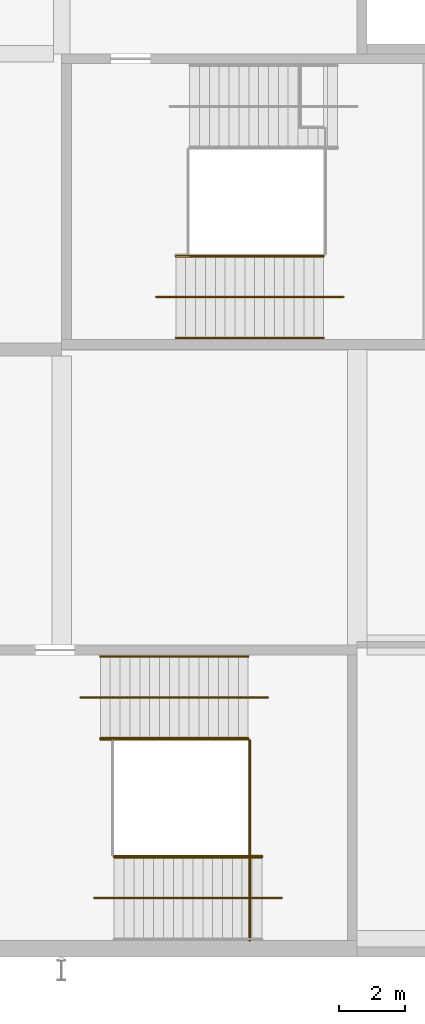
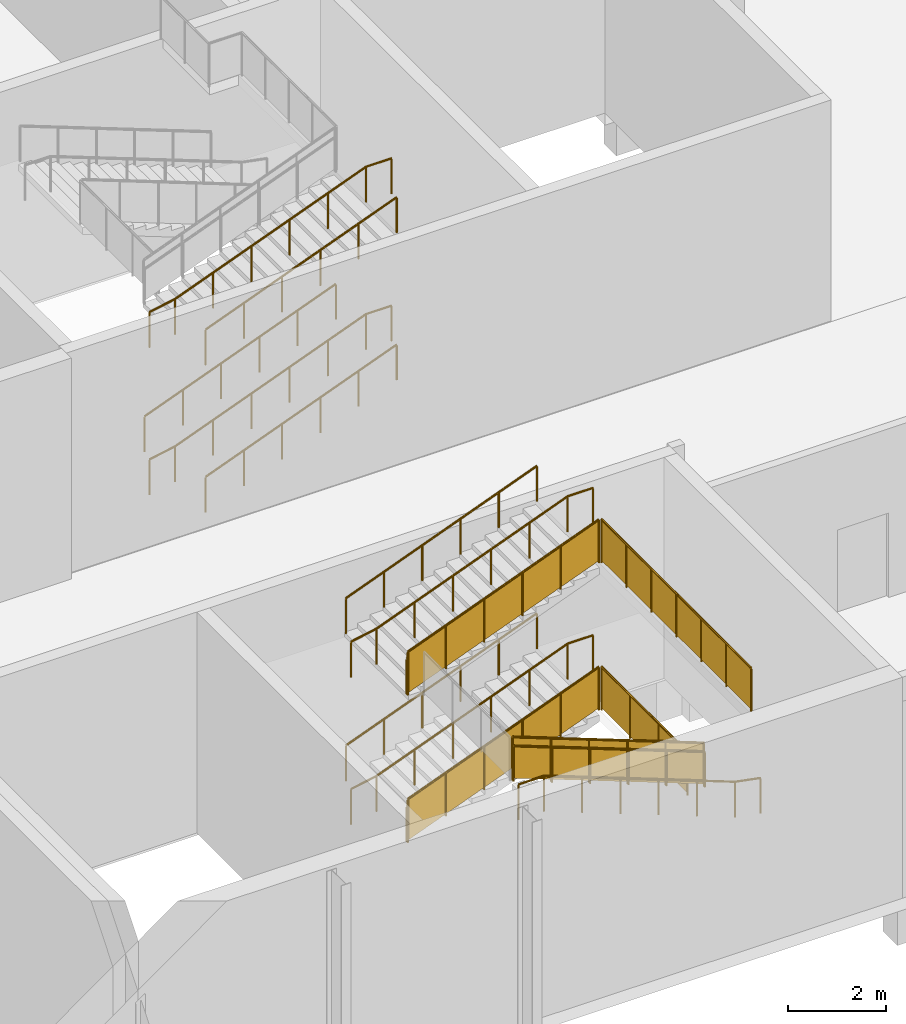
# One storey, part 67 of 84: 18 railings.
"""IFC4 building model written with IfcOpenShell, lengths in metres."""

import ifcopenshell
import ifcopenshell.guid

model = None  # the IFC model being written
_history = None  # IfcOwnerHistory: only IFC2X3 demands one
_inside = {}  # id of a spatial element -> (the spatial element, [elements in it])
_under = {}  # id of a project, library or spatial element -> (it, [spatial elements below it])
_declared = {}  # id of a project -> (the project, [libraries it declares])
_typed = {}  # id of a type object -> (the type object, [elements of that type])
_made_of = {}  # id of a material, layer set ... -> (it, [elements and type objects made of it])


def new_model(schema):
    """Start an empty IFC model of exactly this schema.

    Asked for "IFC4X3", IfcOpenShell would pick the latest addendum, in which some entities
    have other attributes; the version numbers below select the first issue.
    IFC2X3 requires an IfcOwnerHistory on every rooted entity: one is made here for all.
    """
    global model, _history
    if schema == "IFC4X3":
        model = ifcopenshell.file(schema_version=(4, 3, 0, 0))
    else:
        model = ifcopenshell.file(schema=schema)
    _inside.clear()
    _under.clear()
    _declared.clear()
    _typed.clear()
    _made_of.clear()
    _history = None
    if model.schema == "IFC2X3":
        org = make("IfcOrganization", Name="unknown")
        user = make(
            "IfcPersonAndOrganization",
            ThePerson=make("IfcPerson", FamilyName="unknown"),
            TheOrganization=org,
        )
        app = make(
            "IfcApplication",
            ApplicationDeveloper=org,
            Version="unknown",
            ApplicationFullName="unknown",
            ApplicationIdentifier="unknown",
        )
        _history = make(
            "IfcOwnerHistory",
            OwningUser=user,
            OwningApplication=app,
            ChangeAction="ADDED",
            CreationDate=0,
        )
    return model


def make(cls, **values):
    """One entity of the class cls with the attributes given. An attribute that is None is left unset."""
    return model.create_entity(
        cls, **{name: value for name, value in values.items() if value is not None}
    )


def rooted(cls, **values):
    """An entity with a GlobalId (a new one), such as an element, a storey or a relation."""
    return make(cls, GlobalId=ifcopenshell.guid.new(), OwnerHistory=_history, **values)


def si_unit(unit_type, name, prefix=None):
    """IfcSIUnit, for example si_unit("LENGTHUNIT", "METRE", prefix="MILLI")."""
    return make("IfcSIUnit", UnitType=unit_type, Prefix=prefix, Name=name)


def assignment(units):
    """IfcUnitAssignment: the units of a project."""
    return None if units is None else make("IfcUnitAssignment", Units=units)


def point(xyz):
    """IfcCartesianPoint."""
    return None if xyz is None else make("IfcCartesianPoint", Coordinates=xyz)


def direction(xyz):
    """IfcDirection."""
    return None if xyz is None else make("IfcDirection", DirectionRatios=xyz)


def frame(location, z_axis=None, x_axis=None):
    """IfcAxis2Placement3D, a coordinate frame: its origin and axes. An axis left out is left unset."""
    return make(
        "IfcAxis2Placement3D",
        Location=point(location),
        Axis=direction(z_axis),
        RefDirection=direction(x_axis),
    )


def frame_2d(location, x_axis=None):
    """IfcAxis2Placement2D, a coordinate frame in the plane: its origin and x axis."""
    return make(
        "IfcAxis2Placement2D", Location=point(location), RefDirection=direction(x_axis)
    )


def origin():
    """The frame at (0, 0, 0) with its axes left unset."""
    return frame((0.0, 0.0, 0.0))


def origin_2d():
    """The frame at (0, 0) in the plane with its x axis left unset."""
    return frame_2d((0.0, 0.0))


def place(relative_to, where):
    """IfcLocalPlacement: puts the frame where relative to a parent placement (None: the world)."""
    return make(
        "IfcLocalPlacement", PlacementRelTo=relative_to, RelativePlacement=where
    )


def context(
    kind, dimensions, precision=None, world=None, true_north=None, identifier=None
):
    """IfcGeometricRepresentationContext, for example the 3D "Model" context."""
    return make(
        "IfcGeometricRepresentationContext",
        ContextIdentifier=identifier,
        ContextType=kind,
        CoordinateSpaceDimension=dimensions,
        Precision=precision,
        WorldCoordinateSystem=world,
        TrueNorth=true_north,
    )


def subcontext(parent, identifier, kind, view, scale=None):
    """IfcGeometricRepresentationSubContext, for example "Body" below "Model"."""
    return make(
        "IfcGeometricRepresentationSubContext",
        ContextIdentifier=identifier,
        ContextType=kind,
        ParentContext=parent,
        TargetScale=scale,
        TargetView=view,
    )


def project(units=None, contexts=None):
    """IfcProject with its units and contexts."""
    return rooted(
        "IfcProject",
        Name="project",
        RepresentationContexts=contexts,
        UnitsInContext=assignment(units),
    )


def spatial(cls, under=None, at=None, **own):
    """A site, building, storey or space (cls), placed at a placement, below another one or the project."""
    s = rooted(cls, ObjectPlacement=at, **own)
    if under is not None:
        _under.setdefault(under.id(), (under, []))[1].append(s)
    return s


def polyline(points):
    """IfcPolyline through the points."""
    return make("IfcPolyline", Points=[point(p) for p in points])


def profile(cls, at=None, kind="AREA", **sizes):
    """A parametric profile (cls). Its sizes go by their IFC names, for example OverallWidth=200.0."""
    return make(cls, ProfileType=kind, Position=at, **sizes)


def circle(**sizes):
    """IfcCircleProfileDef."""
    return profile("IfcCircleProfileDef", **sizes)


def outline(outer, holes=None, kind="AREA"):
    """IfcArbitraryClosedProfileDef: a profile drawn as a closed curve; with holes, ...WithVoids."""
    if holes is None:
        return make("IfcArbitraryClosedProfileDef", ProfileType=kind, OuterCurve=outer)
    return make(
        "IfcArbitraryProfileDefWithVoids",
        ProfileType=kind,
        OuterCurve=outer,
        InnerCurves=holes,
    )


def extrude(swept, where, along, depth):
    """IfcExtrudedAreaSolid: the profile swept, set in the frame where, extruded along a direction by depth."""
    return make(
        "IfcExtrudedAreaSolid",
        SweptArea=swept,
        Position=where,
        ExtrudedDirection=direction(along),
        Depth=depth,
    )


def shape(context_of_items, identifier, shape_type, items):
    """IfcShapeRepresentation: the items that make up one representation, for example the "Body"."""
    return make(
        "IfcShapeRepresentation",
        ContextOfItems=context_of_items,
        RepresentationIdentifier=identifier,
        RepresentationType=shape_type,
        Items=items,
    )


def material(Name=None, Category=None):
    """IfcMaterial."""
    return make("IfcMaterial", Name=Name, Category=Category)


def made_of(thing, what):
    """Note that an element or type object is made of a material, layer set ...; save() writes the relation."""
    if what is not None:
        _made_of.setdefault(what.id(), (what, []))[1].append(thing)
    return thing


def type_object(cls, material=None, **own):
    """A type object (cls), such as IfcWallType, which elements share."""
    return made_of(rooted(cls, **own), material)


def element(
    cls,
    number,
    at=None,
    inside=None,
    cuts=None,
    type_object=None,
    material=None,
    context=None,
    identifier="Body",
    shape_type=None,
    held_by="IfcProductDefinitionShape",
    body=None,
    shapes=None,
    **own,
):
    """One element of the class cls, such as IfcWall. Its Tag is "e" and its number.

    at: its placement. inside: the storey or other place that contains it. cuts: it is an
    opening in that element (IfcRelVoidsElement). A single representation is given by context,
    identifier, shape_type and body (its items); several are given by shapes. held_by: the class
    of the entity that holds the representations. save() writes the other relations.
    """
    e = rooted(cls, Tag="e%d" % number, ObjectPlacement=at, **own)
    if body is not None:
        shapes = [shape(context, identifier, shape_type, body)]
    if shapes is not None:
        e.Representation = make(held_by, Representations=shapes)
    if inside is not None:
        _inside.setdefault(inside.id(), (inside, []))[1].append(e)
    if cuts is not None:
        rooted(
            "IfcRelVoidsElement", RelatingBuildingElement=cuts, RelatedOpeningElement=e
        )
    if type_object is not None:
        _typed.setdefault(type_object.id(), (type_object, []))[1].append(e)
    return made_of(e, material)


def aggregate(whole, parts):
    """IfcRelAggregates: a whole, such as a stair, and the parts it consists of."""
    return rooted("IfcRelAggregates", RelatingObject=whole, RelatedObjects=parts)


def save(model, path):
    """Write the relations noted so far, then the file.

    IfcRelAggregates (storeys below a building ...), IfcRelContainedInSpatialStructure (elements
    in a storey), IfcRelDefinesByType, IfcRelAssociatesMaterial and IfcRelDeclares: one each for
    every whole, place, type object, material and project.
    """
    for whole, parts in _under.values():
        aggregate(whole, parts)
    for where, things in _inside.values():
        rooted(
            "IfcRelContainedInSpatialStructure",
            RelatedElements=things,
            RelatingStructure=where,
        )
    for kind, things in _typed.values():
        rooted("IfcRelDefinesByType", RelatedObjects=things, RelatingType=kind)
    for what, things in _made_of.values():
        rooted("IfcRelAssociatesMaterial", RelatedObjects=things, RelatingMaterial=what)
    for by, libraries in _declared.values():
        rooted("IfcRelDeclares", RelatingContext=by, RelatedDefinitions=libraries)
    model.write(path)


model = new_model("IFC4")

# Units and contexts
model_context = context("Model", 3, precision=1e-05, world=origin(), true_north=direction((0.0, 1.0)))
body_context = subcontext(model_context, "Body", "Model", "MODEL_VIEW")
ifc_project = project(units=[si_unit("LENGTHUNIT", "METRE"), si_unit("AREAUNIT", "SQUARE_METRE"), si_unit("VOLUMEUNIT", "CUBIC_METRE"), si_unit("PLANEANGLEUNIT", "RADIAN"), si_unit("MASSUNIT", "GRAM", prefix="KILO")], contexts=[model_context])

# Site, building, storey
site_placement = place(None, origin())
site = spatial("IfcSite", under=ifc_project, at=site_placement, CompositionType="ELEMENT")
building_placement = place(site_placement, origin())
building = spatial("IfcBuilding", under=site, at=building_placement, Name="Silverbay Arena", CompositionType="ELEMENT")
storey_placement = place(building_placement, frame((0.0, 0.0, 28.0)))
storey = spatial("IfcBuildingStorey", under=building, at=storey_placement, Name="L04", CompositionType="ELEMENT", Elevation=28.0)

# Railings
ifc_material_1 = material(Name="Stainless steel", Category="steel")
railing_type_1 = type_object("IfcRailingType", Name="Stair guard 1100", PredefinedType="GUARDRAIL", material=ifc_material_1)
railing_1_placement = place(storey_placement, frame((172.1796875, 24.125, 0.114501953125)))
element("IfcRailing", 1, at=railing_1_placement, inside=storey, type_object=railing_type_1, Name="Stair ST-S4 L04 to L05 flight 1 guard right", PredefinedType="GUARDRAIL", context=body_context, shape_type="SweptSolid", body=[
    extrude(circle(Radius=0.02392578125, at=origin_2d()), frame((0.0, 0.0, 1.076171875), z_axis=(0.93417907455, 0.0, 0.356804507641), x_axis=(0.0, 1.0, 0.0)), (0.0, 0.0, 1.0), 4.817138671875),
    extrude(outline(polyline([(-0.008056640625, 0.046875), (0.907958984375, 0.396728515625), (0.907958984375, 1.39990234375), (-0.008056640625, 1.050048828125), (-0.008056640625, 0.046875)])), frame((0.0, 0.0029296875, 0.0), z_axis=(0.0, -1.0, 0.0), x_axis=(1.0, 0.0, 0.0)), (0.0, 0.0, 1.0), 0.006103515625),
    extrude(outline(polyline([(-0.008056640625, 0.390625), (0.907958984375, 0.740478515625), (0.907958984375, 1.74365234375), (-0.008056640625, 1.393798828125), (-0.008056640625, 0.390625)])), frame((0.89990234375, 0.0029296875, 0.0), z_axis=(0.0, -1.0, 0.0), x_axis=(1.0, 0.0, 0.0)), (0.0, 0.0, 1.0), 0.006103515625),
    extrude(outline(polyline([(-0.008056640625, 0.734375), (0.907958984375, 1.084228515625), (0.907958984375, 2.08740234375), (-0.008056640625, 1.737548828125), (-0.008056640625, 0.734375)])), frame((1.800048828125, 0.0029296875, 0.0), z_axis=(0.0, -1.0, 0.0), x_axis=(1.0, 0.0, 0.0)), (0.0, 0.0, 1.0), 0.006103515625),
    extrude(outline(polyline([(-0.008056640625, 1.078125), (0.907958984375, 1.427978515625), (0.907958984375, 2.43115234375), (-0.008056640625, 2.081298828125), (-0.008056640625, 1.078125)])), frame((2.699951171875, 0.0029296875, 0.0), z_axis=(0.0, -1.0, 0.0), x_axis=(1.0, 0.0, 0.0)), (0.0, 0.0, 1.0), 0.006103515625),
    extrude(outline(polyline([(-0.008056640625, 1.421875), (0.907958984375, 1.771728515625), (0.907958984375, 2.77490234375), (-0.008056640625, 2.425048828125), (-0.008056640625, 1.421875)])), frame((3.60009765625, 0.0029296875, 0.0), z_axis=(0.0, -1.0, 0.0), x_axis=(1.0, 0.0, 0.0)), (0.0, 0.0, 1.0), 0.006103515625),
    extrude(circle(Radius=0.02099609375, at=origin_2d()), origin(), (0.0, 0.0, 1.0), 1.052001953125),
    extrude(circle(Radius=0.02099609375, at=origin_2d()), frame((0.89990234375, 0.0, 0.34375)), (0.0, 0.0, 1.0), 1.052001953125),
    extrude(circle(Radius=0.02099609375, at=origin_2d()), frame((1.800048828125, 0.0, 0.6875)), (0.0, 0.0, 1.0), 1.052001953125),
    extrude(circle(Radius=0.02099609375, at=origin_2d()), frame((2.699951171875, 0.0, 1.03125)), (0.0, 0.0, 1.0), 1.052001953125),
    extrude(circle(Radius=0.02099609375, at=origin_2d()), frame((3.60009765625, 0.0, 1.375)), (0.0, 0.0, 1.0), 1.052001953125),
    extrude(circle(Radius=0.02099609375, at=origin_2d()), frame((4.5, 0.0, 1.71875)), (0.0, 0.0, 1.0), 1.052001953125),
])
railing_2_placement = place(storey_placement, frame((177.10009765625, 20.574951171875, 1.947998046875)))
element("IfcRailing", 2, at=railing_2_placement, inside=storey, type_object=railing_type_1, Name="Stair ST-S4 L04 to L05 flight 2 guard left", PredefinedType="GUARDRAIL", context=body_context, shape_type="SweptSolid", body=[
    extrude(circle(Radius=0.02392578125, at=origin_2d()), frame((0.0, 0.0, 1.076171875), z_axis=(-0.93417907455, 0.0, 0.356804507641), x_axis=(0.0, -1.0, 0.0)), (0.0, 0.0, 1.0), 4.817138671875),
    extrude(outline(polyline([(-0.008056640625, 0.046875), (0.907958984375, 0.396728515625), (0.907958984375, 1.39990234375), (-0.008056640625, 1.050048828125), (-0.008056640625, 0.046875)])), frame((0.0, -0.0029296875, 0.0), z_axis=(0.0, 1.0, 0.0), x_axis=(-1.0, 0.0, 0.0)), (0.0, 0.0, 1.0), 0.006103515625),
    extrude(outline(polyline([(-0.008056640625, 0.390625), (0.907958984375, 0.740478515625), (0.907958984375, 1.74365234375), (-0.008056640625, 1.393798828125), (-0.008056640625, 0.390625)])), frame((-0.89990234375, -0.0029296875, 0.0), z_axis=(0.0, 1.0, 0.0), x_axis=(-1.0, 0.0, 0.0)), (0.0, 0.0, 1.0), 0.006103515625),
    extrude(outline(polyline([(-0.008056640625, 0.734375), (0.907958984375, 1.084228515625), (0.907958984375, 2.08740234375), (-0.008056640625, 1.737548828125), (-0.008056640625, 0.734375)])), frame((-1.800048828125, -0.0029296875, 0.0), z_axis=(0.0, 1.0, 0.0), x_axis=(-1.0, 0.0, 0.0)), (0.0, 0.0, 1.0), 0.006103515625),
    extrude(outline(polyline([(-0.008056640625, 1.078125), (0.907958984375, 1.427978515625), (0.907958984375, 2.43115234375), (-0.008056640625, 2.081298828125), (-0.008056640625, 1.078125)])), frame((-2.699951171875, -0.0029296875, 0.0), z_axis=(0.0, 1.0, 0.0), x_axis=(-1.0, 0.0, 0.0)), (0.0, 0.0, 1.0), 0.006103515625),
    extrude(outline(polyline([(-0.008056640625, 1.421875), (0.907958984375, 1.771728515625), (0.907958984375, 2.77490234375), (-0.008056640625, 2.425048828125), (-0.008056640625, 1.421875)])), frame((-3.60009765625, -0.0029296875, 0.0), z_axis=(0.0, 1.0, 0.0), x_axis=(-1.0, 0.0, 0.0)), (0.0, 0.0, 1.0), 0.006103515625),
    extrude(circle(Radius=0.02099609375, at=origin_2d()), origin(), (0.0, 0.0, 1.0), 1.052001953125),
    extrude(circle(Radius=0.02099609375, at=origin_2d()), frame((-0.89990234375, 0.0, 0.34375)), (0.0, 0.0, 1.0), 1.052001953125),
    extrude(circle(Radius=0.02099609375, at=origin_2d()), frame((-1.800048828125, 0.0, 0.6875)), (0.0, 0.0, 1.0), 1.052001953125),
    extrude(circle(Radius=0.02099609375, at=origin_2d()), frame((-2.699951171875, 0.0, 1.03125)), (0.0, 0.0, 1.0), 1.052001953125),
    extrude(circle(Radius=0.02099609375, at=origin_2d()), frame((-3.60009765625, 0.0, 1.375)), (0.0, 0.0, 1.0), 1.052001953125),
    extrude(circle(Radius=0.02099609375, at=origin_2d()), frame((-4.5, 0.0, 1.71875)), (0.0, 0.0, 1.0), 1.052001953125),
])
railing_3_placement = place(storey_placement, frame((172.1796875, 24.125, 3.78125)))
element("IfcRailing", 3, at=railing_3_placement, inside=storey, type_object=railing_type_1, Name="Stair ST-S4 L04 to L05 flight 3 guard right", PredefinedType="GUARDRAIL", context=body_context, shape_type="SweptSolid", body=[
    extrude(circle(Radius=0.02392578125, at=origin_2d()), frame((0.0, 0.0, 1.076171875), z_axis=(0.93417907455, 0.0, 0.356804507641), x_axis=(0.0, 1.0, 0.0)), (0.0, 0.0, 1.0), 4.817138671875),
    extrude(outline(polyline([(-0.008056640625, 0.046875), (0.907958984375, 0.396728515625), (0.907958984375, 1.39990234375), (-0.008056640625, 1.050048828125), (-0.008056640625, 0.046875)])), frame((0.0, 0.0029296875, 0.0), z_axis=(0.0, -1.0, 0.0), x_axis=(1.0, 0.0, 0.0)), (0.0, 0.0, 1.0), 0.006103515625),
    extrude(outline(polyline([(-0.008056640625, 0.390625), (0.907958984375, 0.740478515625), (0.907958984375, 1.74365234375), (-0.008056640625, 1.393798828125), (-0.008056640625, 0.390625)])), frame((0.89990234375, 0.0029296875, 0.0), z_axis=(0.0, -1.0, 0.0), x_axis=(1.0, 0.0, 0.0)), (0.0, 0.0, 1.0), 0.006103515625),
    extrude(outline(polyline([(-0.008056640625, 0.734375), (0.907958984375, 1.084228515625), (0.907958984375, 2.08740234375), (-0.008056640625, 1.737548828125), (-0.008056640625, 0.734375)])), frame((1.800048828125, 0.0029296875, 0.0), z_axis=(0.0, -1.0, 0.0), x_axis=(1.0, 0.0, 0.0)), (0.0, 0.0, 1.0), 0.006103515625),
    extrude(outline(polyline([(-0.008056640625, 1.078125), (0.907958984375, 1.427978515625), (0.907958984375, 2.43115234375), (-0.008056640625, 2.081298828125), (-0.008056640625, 1.078125)])), frame((2.699951171875, 0.0029296875, 0.0), z_axis=(0.0, -1.0, 0.0), x_axis=(1.0, 0.0, 0.0)), (0.0, 0.0, 1.0), 0.006103515625),
    extrude(outline(polyline([(-0.008056640625, 1.421875), (0.907958984375, 1.771728515625), (0.907958984375, 2.77490234375), (-0.008056640625, 2.425048828125), (-0.008056640625, 1.421875)])), frame((3.60009765625, 0.0029296875, 0.0), z_axis=(0.0, -1.0, 0.0), x_axis=(1.0, 0.0, 0.0)), (0.0, 0.0, 1.0), 0.006103515625),
    extrude(circle(Radius=0.02099609375, at=origin_2d()), origin(), (0.0, 0.0, 1.0), 1.052001953125),
    extrude(circle(Radius=0.02099609375, at=origin_2d()), frame((0.89990234375, 0.0, 0.34375)), (0.0, 0.0, 1.0), 1.052001953125),
    extrude(circle(Radius=0.02099609375, at=origin_2d()), frame((1.800048828125, 0.0, 0.6875)), (0.0, 0.0, 1.0), 1.052001953125),
    extrude(circle(Radius=0.02099609375, at=origin_2d()), frame((2.699951171875, 0.0, 1.03125)), (0.0, 0.0, 1.0), 1.052001953125),
    extrude(circle(Radius=0.02099609375, at=origin_2d()), frame((3.60009765625, 0.0, 1.375)), (0.0, 0.0, 1.0), 1.052001953125),
    extrude(circle(Radius=0.02099609375, at=origin_2d()), frame((4.5, 0.0, 1.71875)), (0.0, 0.0, 1.0), 1.052001953125),
])
railing_4_placement = place(storey_placement, frame((176.7294921875, 24.10009765625, 1.833251953125)))
element("IfcRailing", 4, at=railing_4_placement, inside=storey, type_object=railing_type_1, Name="Stair ST-S4 L04 to L05 landing 1 guard", PredefinedType="GUARDRAIL", context=body_context, shape_type="SweptSolid", body=[
    extrude(circle(Radius=0.02392578125, at=origin_2d()), frame((0.0, 0.0, 1.076171875), z_axis=(0.0, -1.0, 0.0), x_axis=(1.0, 0.0, 0.0)), (0.0, 0.0, 1.0), 3.5),
    extrude(outline(polyline([(-0.008056640625, 0.050048828125), (1.174560546875, 0.050048828125), (1.174560546875, 1.052978515625), (-0.008056640625, 1.052978515625), (-0.008056640625, 0.050048828125)])), frame((0.0029296875, 0.0, 0.0), z_axis=(-1.0, 0.0, 0.0), x_axis=(0.0, -1.0, 0.0)), (0.0, 0.0, 1.0), 0.006103515625),
    extrude(outline(polyline([(-0.008056640625, 0.050048828125), (1.174560546875, 0.050048828125), (1.174560546875, 1.052978515625), (-0.008056640625, 1.052978515625), (-0.008056640625, 0.050048828125)])), frame((0.0029296875, -1.166748046875, 0.0), z_axis=(-1.0, 0.0, 0.0), x_axis=(0.0, -1.0, 0.0)), (0.0, 0.0, 1.0), 0.006103515625),
    extrude(outline(polyline([(-0.008056640625, 0.050048828125), (1.174560546875, 0.050048828125), (1.174560546875, 1.052978515625), (-0.008056640625, 1.052978515625), (-0.008056640625, 0.050048828125)])), frame((0.0029296875, -2.333251953125, 0.0), z_axis=(-1.0, 0.0, 0.0), x_axis=(0.0, -1.0, 0.0)), (0.0, 0.0, 1.0), 0.006103515625),
    extrude(circle(Radius=0.02099609375, at=origin_2d()), origin(), (0.0, 0.0, 1.0), 1.052001953125),
    extrude(circle(Radius=0.02099609375, at=origin_2d()), frame((0.0, -1.166748046875, 0.0)), (0.0, 0.0, 1.0), 1.052001953125),
    extrude(circle(Radius=0.02099609375, at=origin_2d()), frame((0.0, -2.333251953125, 0.0)), (0.0, 0.0, 1.0), 1.052001953125),
    extrude(circle(Radius=0.02099609375, at=origin_2d()), frame((0.0, -3.5, 0.0)), (0.0, 0.0, 1.0), 1.052001953125),
])
railing_5_placement = place(storey_placement, frame((176.7294921875, 24.10009765625, 5.5)))
element("IfcRailing", 5, at=railing_5_placement, inside=storey, type_object=railing_type_1, Name="Stair ST-S4 L04 to L05 landing 3 guard", PredefinedType="GUARDRAIL", context=body_context, shape_type="SweptSolid", body=[
    extrude(circle(Radius=0.02392578125, at=origin_2d()), frame((0.0, 0.0, 1.076171875), z_axis=(0.0, -1.0, 0.0), x_axis=(1.0, 0.0, 0.0)), (0.0, 0.0, 1.0), 6.10009765625),
    extrude(outline(polyline([(-0.008056640625, 0.050048828125), (1.024658203125, 0.050048828125), (1.024658203125, 1.052978515625), (-0.008056640625, 1.052978515625), (-0.008056640625, 0.050048828125)])), frame((0.0029296875, 0.0, 0.0), z_axis=(-1.0, 0.0, 0.0), x_axis=(0.0, -1.0, 0.0)), (0.0, 0.0, 1.0), 0.006103515625),
    extrude(outline(polyline([(-0.008056640625, 0.050048828125), (1.024658203125, 0.050048828125), (1.024658203125, 1.052978515625), (-0.008056640625, 1.052978515625), (-0.008056640625, 0.050048828125)])), frame((0.0029296875, -1.0166015625, 0.0), z_axis=(-1.0, 0.0, 0.0), x_axis=(0.0, -1.0, 0.0)), (0.0, 0.0, 1.0), 0.006103515625),
    extrude(outline(polyline([(-0.008056640625, 0.050048828125), (1.024658203125, 0.050048828125), (1.024658203125, 1.052978515625), (-0.008056640625, 1.052978515625), (-0.008056640625, 0.050048828125)])), frame((0.0029296875, -2.033447265625, 0.0), z_axis=(-1.0, 0.0, 0.0), x_axis=(0.0, -1.0, 0.0)), (0.0, 0.0, 1.0), 0.006103515625),
    extrude(outline(polyline([(-0.008056640625, 0.050048828125), (1.024658203125, 0.050048828125), (1.024658203125, 1.052978515625), (-0.008056640625, 1.052978515625), (-0.008056640625, 0.050048828125)])), frame((0.0029296875, -3.050048828125, 0.0), z_axis=(-1.0, 0.0, 0.0), x_axis=(0.0, -1.0, 0.0)), (0.0, 0.0, 1.0), 0.006103515625),
    extrude(outline(polyline([(-0.008056640625, 0.050048828125), (1.024658203125, 0.050048828125), (1.024658203125, 1.052978515625), (-0.008056640625, 1.052978515625), (-0.008056640625, 0.050048828125)])), frame((0.0029296875, -4.066650390625, 0.0), z_axis=(-1.0, 0.0, 0.0), x_axis=(0.0, -1.0, 0.0)), (0.0, 0.0, 1.0), 0.006103515625),
    extrude(outline(polyline([(-0.008056640625, 0.050048828125), (1.024658203125, 0.050048828125), (1.024658203125, 1.052978515625), (-0.008056640625, 1.052978515625), (-0.008056640625, 0.050048828125)])), frame((0.0029296875, -5.08349609375, 0.0), z_axis=(-1.0, 0.0, 0.0), x_axis=(0.0, -1.0, 0.0)), (0.0, 0.0, 1.0), 0.006103515625),
    extrude(circle(Radius=0.02099609375, at=origin_2d()), origin(), (0.0, 0.0, 1.0), 1.052001953125),
    extrude(circle(Radius=0.02099609375, at=origin_2d()), frame((0.0, -1.0166015625, 0.0)), (0.0, 0.0, 1.0), 1.052001953125),
    extrude(circle(Radius=0.02099609375, at=origin_2d()), frame((0.0, -2.033447265625, 0.0)), (0.0, 0.0, 1.0), 1.052001953125),
    extrude(circle(Radius=0.02099609375, at=origin_2d()), frame((0.0, -3.050048828125, 0.0)), (0.0, 0.0, 1.0), 1.052001953125),
    extrude(circle(Radius=0.02099609375, at=origin_2d()), frame((0.0, -4.066650390625, 0.0)), (0.0, 0.0, 1.0), 1.052001953125),
    extrude(circle(Radius=0.02099609375, at=origin_2d()), frame((0.0, -5.08349609375, 0.0)), (0.0, 0.0, 1.0), 1.052001953125),
    extrude(circle(Radius=0.02099609375, at=origin_2d()), frame((0.0, -6.10009765625, 0.0)), (0.0, 0.0, 1.0), 1.052001953125),
])
ifc_material_2 = material(Name="Stainless steel", Category="steel")
railing_type_2 = type_object("IfcRailingType", Name="Stair handrail 900", PredefinedType="HANDRAIL", material=ifc_material_2)
for number, where, name in (
    (6, (172.1796875, 26.64990234375, 0.114501953125), "Stair ST-S4 L04 to L05 flight 1 handrail left"),
    (7, (172.1796875, 24.1640625, 0.114501953125), "Stair ST-S4 L04 to L05 flight 1 handrail right"),
):
    element("IfcRailing", number, at=place(storey_placement, frame(where)), inside=storey, type_object=railing_type_2, Name=name, PredefinedType="HANDRAIL", context=body_context, shape_type="SweptSolid", body=[
        extrude(circle(Radius=0.02392578125, at=origin_2d()), frame((0.0, 0.0, 0.8759765625), z_axis=(0.93417907455, 0.0, 0.356804507641), x_axis=(0.0, 1.0, 0.0)), (0.0, 0.0, 1.0), 4.817138671875),
        extrude(circle(Radius=0.02099609375, at=origin_2d()), origin(), (0.0, 0.0, 1.0), 0.851806640625),
        extrude(circle(Radius=0.02099609375, at=origin_2d()), frame((0.89990234375, 0.0, 0.34375)), (0.0, 0.0, 1.0), 0.851806640625),
        extrude(circle(Radius=0.02099609375, at=origin_2d()), frame((1.800048828125, 0.0, 0.6875)), (0.0, 0.0, 1.0), 0.851806640625),
        extrude(circle(Radius=0.02099609375, at=origin_2d()), frame((2.699951171875, 0.0, 1.03125)), (0.0, 0.0, 1.0), 0.851806640625),
        extrude(circle(Radius=0.02099609375, at=origin_2d()), frame((3.60009765625, 0.0, 1.375)), (0.0, 0.0, 1.0), 0.851806640625),
        extrude(circle(Radius=0.02099609375, at=origin_2d()), frame((4.5, 0.0, 1.71875)), (0.0, 0.0, 1.0), 0.851806640625),
    ])
railing_6_placement = place(storey_placement, frame((171.57958984375, 25.39990234375, 0.0)))
element("IfcRailing", 8, at=railing_6_placement, inside=storey, type_object=railing_type_2, Name="Stair ST-S4 L04 to L05 flight 1 central handrail", PredefinedType="HANDRAIL", context=body_context, shape_type="SweptSolid", body=[
    extrude(circle(Radius=0.02392578125, at=origin_2d()), frame((0.0, 0.0, 0.8759765625), z_axis=(0.982279053969, 0.0, 0.187424278402), x_axis=(0.0, 1.0, 0.0)), (0.0, 0.0, 1.0), 0.61083984375),
    extrude(circle(Radius=0.02392578125, at=origin_2d()), frame((0.60009765625, 0.0, 0.990234375), z_axis=(0.93417907455, 0.0, 0.356804507641), x_axis=(0.0, 1.0, 0.0)), (0.0, 0.0, 1.0), 4.817138671875),
    extrude(circle(Radius=0.02392578125, at=origin_2d()), frame((5.10009765625, 0.0, 2.708984375), z_axis=(1.0, 0.0, 0.0), x_axis=(0.0, 1.0, 0.0)), (0.0, 0.0, 1.0), 0.599853515625),
    extrude(circle(Radius=0.02099609375, at=origin_2d()), origin(), (0.0, 0.0, 1.0), 0.851806640625),
    extrude(circle(Radius=0.02099609375, at=origin_2d()), frame((0.60009765625, 0.0, 0.114501953125)), (0.0, 0.0, 1.0), 0.851806640625),
    extrude(circle(Radius=0.02099609375, at=origin_2d()), frame((1.5, 0.0, 0.458251953125)), (0.0, 0.0, 1.0), 0.851806640625),
    extrude(circle(Radius=0.02099609375, at=origin_2d()), frame((2.400146484375, 0.0, 0.802001953125)), (0.0, 0.0, 1.0), 0.851806640625),
    extrude(circle(Radius=0.02099609375, at=origin_2d()), frame((3.300048828125, 0.0, 1.145751953125)), (0.0, 0.0, 1.0), 0.851806640625),
    extrude(circle(Radius=0.02099609375, at=origin_2d()), frame((4.2001953125, 0.0, 1.489501953125)), (0.0, 0.0, 1.0), 0.851806640625),
    extrude(circle(Radius=0.02099609375, at=origin_2d()), frame((5.10009765625, 0.0, 1.833251953125)), (0.0, 0.0, 1.0), 0.851806640625),
    extrude(circle(Radius=0.02099609375, at=origin_2d()), frame((5.699951171875, 0.0, 1.833251953125)), (0.0, 0.0, 1.0), 0.851806640625),
])
railing_7_placement = place(storey_placement, frame((177.10009765625, 20.535888671875, 1.947998046875)))
element("IfcRailing", 9, at=railing_7_placement, inside=storey, type_object=railing_type_2, Name="Stair ST-S4 L04 to L05 flight 2 handrail left", PredefinedType="HANDRAIL", context=body_context, shape_type="SweptSolid", body=[
    extrude(circle(Radius=0.02392578125, at=origin_2d()), frame((0.0, 0.0, 0.8759765625), z_axis=(-0.93417907455, 0.0, 0.356804507641), x_axis=(0.0, -1.0, 0.0)), (0.0, 0.0, 1.0), 4.817138671875),
    extrude(circle(Radius=0.02099609375, at=origin_2d()), origin(), (0.0, 0.0, 1.0), 0.851806640625),
    extrude(circle(Radius=0.02099609375, at=origin_2d()), frame((-0.89990234375, 0.0, 0.34375)), (0.0, 0.0, 1.0), 0.851806640625),
    extrude(circle(Radius=0.02099609375, at=origin_2d()), frame((-1.800048828125, 0.0, 0.6875)), (0.0, 0.0, 1.0), 0.851806640625),
    extrude(circle(Radius=0.02099609375, at=origin_2d()), frame((-2.699951171875, 0.0, 1.03125)), (0.0, 0.0, 1.0), 0.851806640625),
    extrude(circle(Radius=0.02099609375, at=origin_2d()), frame((-3.60009765625, 0.0, 1.375)), (0.0, 0.0, 1.0), 0.851806640625),
    extrude(circle(Radius=0.02099609375, at=origin_2d()), frame((-4.5, 0.0, 1.71875)), (0.0, 0.0, 1.0), 0.851806640625),
])
railing_8_placement = place(storey_placement, frame((177.699951171875, 19.300048828125, 1.833251953125)))
element("IfcRailing", 10, at=railing_8_placement, inside=storey, type_object=railing_type_2, Name="Stair ST-S4 L04 to L05 flight 2 central handrail", PredefinedType="HANDRAIL", context=body_context, shape_type="SweptSolid", body=[
    extrude(circle(Radius=0.02392578125, at=origin_2d()), frame((0.0, 0.0, 0.8759765625), z_axis=(-0.982191308576, 0.0, 0.187883563301), x_axis=(0.0, -1.0, 0.0)), (0.0, 0.0, 1.0), 0.61083984375),
    extrude(circle(Radius=0.02392578125, at=origin_2d()), frame((-0.599853515625, 0.0, 0.99072265625), z_axis=(-0.93417907455, 0.0, 0.356804507641), x_axis=(0.0, -1.0, 0.0)), (0.0, 0.0, 1.0), 4.817138671875),
    extrude(circle(Radius=0.02392578125, at=origin_2d()), frame((-5.099853515625, 0.0, 2.70947265625), z_axis=(-1.0, 0.0, 0.0), x_axis=(0.0, -1.0, 0.0)), (0.0, 0.0, 1.0), 0.60009765625),
    extrude(circle(Radius=0.02099609375, at=origin_2d()), origin(), (0.0, 0.0, 1.0), 0.851806640625),
    extrude(circle(Radius=0.02099609375, at=origin_2d()), frame((-0.599853515625, 0.0, 0.11474609375)), (0.0, 0.0, 1.0), 0.851806640625),
    extrude(circle(Radius=0.02099609375, at=origin_2d()), frame((-1.499755859375, 0.0, 0.45849609375)), (0.0, 0.0, 1.0), 0.851806640625),
    extrude(circle(Radius=0.02099609375, at=origin_2d()), frame((-2.39990234375, 0.0, 0.80224609375)), (0.0, 0.0, 1.0), 0.851806640625),
    extrude(circle(Radius=0.02099609375, at=origin_2d()), frame((-3.2998046875, 0.0, 1.14599609375)), (0.0, 0.0, 1.0), 0.851806640625),
    extrude(circle(Radius=0.02099609375, at=origin_2d()), frame((-4.199951171875, 0.0, 1.48974609375)), (0.0, 0.0, 1.0), 0.851806640625),
    extrude(circle(Radius=0.02099609375, at=origin_2d()), frame((-5.099853515625, 0.0, 1.83349609375)), (0.0, 0.0, 1.0), 0.851806640625),
    extrude(circle(Radius=0.02099609375, at=origin_2d()), frame((-5.699951171875, 0.0, 1.83349609375)), (0.0, 0.0, 1.0), 0.851806640625),
])
for number, where, name in (
    (11, (172.1796875, 26.64990234375, 3.78125), "Stair ST-S4 L04 to L05 flight 3 handrail left"),
    (12, (172.1796875, 24.1640625, 3.78125), "Stair ST-S4 L04 to L05 flight 3 handrail right"),
):
    element("IfcRailing", number, at=place(storey_placement, frame(where)), inside=storey, type_object=railing_type_2, Name=name, PredefinedType="HANDRAIL", context=body_context, shape_type="SweptSolid", body=[
        extrude(circle(Radius=0.02392578125, at=origin_2d()), frame((0.0, 0.0, 0.8759765625), z_axis=(0.93417907455, 0.0, 0.356804507641), x_axis=(0.0, 1.0, 0.0)), (0.0, 0.0, 1.0), 4.817138671875),
        extrude(circle(Radius=0.02099609375, at=origin_2d()), origin(), (0.0, 0.0, 1.0), 0.851806640625),
        extrude(circle(Radius=0.02099609375, at=origin_2d()), frame((0.89990234375, 0.0, 0.34375)), (0.0, 0.0, 1.0), 0.851806640625),
        extrude(circle(Radius=0.02099609375, at=origin_2d()), frame((1.800048828125, 0.0, 0.6875)), (0.0, 0.0, 1.0), 0.851806640625),
        extrude(circle(Radius=0.02099609375, at=origin_2d()), frame((2.699951171875, 0.0, 1.03125)), (0.0, 0.0, 1.0), 0.851806640625),
        extrude(circle(Radius=0.02099609375, at=origin_2d()), frame((3.60009765625, 0.0, 1.375)), (0.0, 0.0, 1.0), 0.851806640625),
        extrude(circle(Radius=0.02099609375, at=origin_2d()), frame((4.5, 0.0, 1.71875)), (0.0, 0.0, 1.0), 0.851806640625),
    ])
railing_9_placement = place(storey_placement, frame((171.57958984375, 25.39990234375, 3.666748046875)))
element("IfcRailing", 13, at=railing_9_placement, inside=storey, type_object=railing_type_2, Name="Stair ST-S4 L04 to L05 flight 3 central handrail", PredefinedType="HANDRAIL", context=body_context, shape_type="SweptSolid", body=[
    extrude(circle(Radius=0.02392578125, at=origin_2d()), frame((0.0, 0.0, 0.8759765625), z_axis=(0.982279053969, 0.0, 0.187424278402), x_axis=(0.0, 1.0, 0.0)), (0.0, 0.0, 1.0), 0.61083984375),
    extrude(circle(Radius=0.02392578125, at=origin_2d()), frame((0.60009765625, 0.0, 0.990234375), z_axis=(0.93417907455, 0.0, 0.356804507641), x_axis=(0.0, 1.0, 0.0)), (0.0, 0.0, 1.0), 4.817138671875),
    extrude(circle(Radius=0.02392578125, at=origin_2d()), frame((5.10009765625, 0.0, 2.708984375), z_axis=(1.0, 0.0, 0.0), x_axis=(0.0, 1.0, 0.0)), (0.0, 0.0, 1.0), 0.599853515625),
    extrude(circle(Radius=0.02099609375, at=origin_2d()), origin(), (0.0, 0.0, 1.0), 0.851806640625),
    extrude(circle(Radius=0.02099609375, at=origin_2d()), frame((0.60009765625, 0.0, 0.114501953125)), (0.0, 0.0, 1.0), 0.851806640625),
    extrude(circle(Radius=0.02099609375, at=origin_2d()), frame((1.5, 0.0, 0.458251953125)), (0.0, 0.0, 1.0), 0.851806640625),
    extrude(circle(Radius=0.02099609375, at=origin_2d()), frame((2.400146484375, 0.0, 0.802001953125)), (0.0, 0.0, 1.0), 0.851806640625),
    extrude(circle(Radius=0.02099609375, at=origin_2d()), frame((3.300048828125, 0.0, 1.145751953125)), (0.0, 0.0, 1.0), 0.851806640625),
    extrude(circle(Radius=0.02099609375, at=origin_2d()), frame((4.2001953125, 0.0, 1.489501953125)), (0.0, 0.0, 1.0), 0.851806640625),
    extrude(circle(Radius=0.02099609375, at=origin_2d()), frame((5.10009765625, 0.0, 1.833251953125)), (0.0, 0.0, 1.0), 0.851806640625),
    extrude(circle(Radius=0.02099609375, at=origin_2d()), frame((5.699951171875, 0.0, 1.833251953125)), (0.0, 0.0, 1.0), 0.851806640625),
])
for number, where, name in (
    (14, (174.4794921875, 38.8359375, 0.114501953125), "Stair ST-SE1 L04 to L05 flight 1 handrail left"),
    (15, (174.4794921875, 36.35009765625, 0.114501953125), "Stair ST-SE1 L04 to L05 flight 1 handrail right"),
):
    element("IfcRailing", number, at=place(storey_placement, frame(where)), inside=storey, type_object=railing_type_2, Name=name, PredefinedType="HANDRAIL", context=body_context, shape_type="SweptSolid", body=[
        extrude(circle(Radius=0.02392578125, at=origin_2d()), frame((0.0, 0.0, 0.8759765625), z_axis=(0.93417907455, 0.0, 0.356804507641), x_axis=(0.0, 1.0, 0.0)), (0.0, 0.0, 1.0), 4.817138671875),
        extrude(circle(Radius=0.02099609375, at=origin_2d()), origin(), (0.0, 0.0, 1.0), 0.851806640625),
        extrude(circle(Radius=0.02099609375, at=origin_2d()), frame((0.89990234375, 0.0, 0.34375)), (0.0, 0.0, 1.0), 0.851806640625),
        extrude(circle(Radius=0.02099609375, at=origin_2d()), frame((1.800048828125, 0.0, 0.6875)), (0.0, 0.0, 1.0), 0.851806640625),
        extrude(circle(Radius=0.02099609375, at=origin_2d()), frame((2.699951171875, 0.0, 1.03125)), (0.0, 0.0, 1.0), 0.851806640625),
        extrude(circle(Radius=0.02099609375, at=origin_2d()), frame((3.60009765625, 0.0, 1.375)), (0.0, 0.0, 1.0), 0.851806640625),
        extrude(circle(Radius=0.02099609375, at=origin_2d()), frame((4.5, 0.0, 1.71875)), (0.0, 0.0, 1.0), 0.851806640625),
    ])
railing_10_placement = place(storey_placement, frame((173.879638671875, 37.60009765625, 0.0)))
element("IfcRailing", 16, at=railing_10_placement, inside=storey, type_object=railing_type_2, Name="Stair ST-SE1 L04 to L05 flight 1 central handrail", PredefinedType="HANDRAIL", context=body_context, shape_type="SweptSolid", body=[
    extrude(circle(Radius=0.02392578125, at=origin_2d()), frame((0.0, 0.0, 0.8759765625), z_axis=(0.982265007716, 0.0, 0.187497878966), x_axis=(0.0, 1.0, 0.0)), (0.0, 0.0, 1.0), 0.610595703125),
    extrude(circle(Radius=0.02392578125, at=origin_2d()), frame((0.599853515625, 0.0, 0.990234375), z_axis=(0.93417907455, 0.0, 0.356804507641), x_axis=(0.0, 1.0, 0.0)), (0.0, 0.0, 1.0), 4.817138671875),
    extrude(circle(Radius=0.02392578125, at=origin_2d()), frame((5.099853515625, 0.0, 2.708984375), z_axis=(1.0, 0.0, 0.0), x_axis=(0.0, 1.0, 0.0)), (0.0, 0.0, 1.0), 0.60009765625),
    extrude(circle(Radius=0.02099609375, at=origin_2d()), origin(), (0.0, 0.0, 1.0), 0.851806640625),
    extrude(circle(Radius=0.02099609375, at=origin_2d()), frame((0.599853515625, 0.0, 0.114501953125)), (0.0, 0.0, 1.0), 0.851806640625),
    extrude(circle(Radius=0.02099609375, at=origin_2d()), frame((1.499755859375, 0.0, 0.458251953125)), (0.0, 0.0, 1.0), 0.851806640625),
    extrude(circle(Radius=0.02099609375, at=origin_2d()), frame((2.39990234375, 0.0, 0.802001953125)), (0.0, 0.0, 1.0), 0.851806640625),
    extrude(circle(Radius=0.02099609375, at=origin_2d()), frame((3.2998046875, 0.0, 1.145751953125)), (0.0, 0.0, 1.0), 0.851806640625),
    extrude(circle(Radius=0.02099609375, at=origin_2d()), frame((4.199951171875, 0.0, 1.489501953125)), (0.0, 0.0, 1.0), 0.851806640625),
    extrude(circle(Radius=0.02099609375, at=origin_2d()), frame((5.099853515625, 0.0, 1.833251953125)), (0.0, 0.0, 1.0), 0.851806640625),
    extrude(circle(Radius=0.02099609375, at=origin_2d()), frame((5.699951171875, 0.0, 1.833251953125)), (0.0, 0.0, 1.0), 0.851806640625),
])
railing_11_placement = place(storey_placement, frame((174.4794921875, 36.35009765625, 3.78125)))
element("IfcRailing", 17, at=railing_11_placement, inside=storey, type_object=railing_type_2, Name="Stair ST-SE1 L04 to L05 flight 3 handrail right", PredefinedType="HANDRAIL", context=body_context, shape_type="SweptSolid", body=[
    extrude(circle(Radius=0.02392578125, at=origin_2d()), frame((0.0, 0.0, 0.8759765625), z_axis=(0.93417907455, 0.0, 0.356804507641), x_axis=(0.0, 1.0, 0.0)), (0.0, 0.0, 1.0), 4.817138671875),
    extrude(circle(Radius=0.02099609375, at=origin_2d()), origin(), (0.0, 0.0, 1.0), 0.851806640625),
    extrude(circle(Radius=0.02099609375, at=origin_2d()), frame((0.89990234375, 0.0, 0.34375)), (0.0, 0.0, 1.0), 0.851806640625),
    extrude(circle(Radius=0.02099609375, at=origin_2d()), frame((1.800048828125, 0.0, 0.6875)), (0.0, 0.0, 1.0), 0.851806640625),
    extrude(circle(Radius=0.02099609375, at=origin_2d()), frame((2.699951171875, 0.0, 1.03125)), (0.0, 0.0, 1.0), 0.851806640625),
    extrude(circle(Radius=0.02099609375, at=origin_2d()), frame((3.60009765625, 0.0, 1.375)), (0.0, 0.0, 1.0), 0.851806640625),
    extrude(circle(Radius=0.02099609375, at=origin_2d()), frame((4.5, 0.0, 1.71875)), (0.0, 0.0, 1.0), 0.851806640625),
])
railing_12_placement = place(storey_placement, frame((173.879638671875, 37.60009765625, 3.666748046875)))
element("IfcRailing", 18, at=railing_12_placement, inside=storey, type_object=railing_type_2, Name="Stair ST-SE1 L04 to L05 flight 3 central handrail", PredefinedType="HANDRAIL", context=body_context, shape_type="SweptSolid", body=[
    extrude(circle(Radius=0.02392578125, at=origin_2d()), frame((0.0, 0.0, 0.8759765625), z_axis=(0.982265007716, 0.0, 0.187497878966), x_axis=(0.0, 1.0, 0.0)), (0.0, 0.0, 1.0), 0.610595703125),
    extrude(circle(Radius=0.02392578125, at=origin_2d()), frame((0.599853515625, 0.0, 0.990234375), z_axis=(0.93417907455, 0.0, 0.356804507641), x_axis=(0.0, 1.0, 0.0)), (0.0, 0.0, 1.0), 4.817138671875),
    extrude(circle(Radius=0.02392578125, at=origin_2d()), frame((5.099853515625, 0.0, 2.708984375), z_axis=(1.0, 0.0, 0.0), x_axis=(0.0, 1.0, 0.0)), (0.0, 0.0, 1.0), 0.60009765625),
    extrude(circle(Radius=0.02099609375, at=origin_2d()), origin(), (0.0, 0.0, 1.0), 0.851806640625),
    extrude(circle(Radius=0.02099609375, at=origin_2d()), frame((0.599853515625, 0.0, 0.114501953125)), (0.0, 0.0, 1.0), 0.851806640625),
    extrude(circle(Radius=0.02099609375, at=origin_2d()), frame((1.499755859375, 0.0, 0.458251953125)), (0.0, 0.0, 1.0), 0.851806640625),
    extrude(circle(Radius=0.02099609375, at=origin_2d()), frame((2.39990234375, 0.0, 0.802001953125)), (0.0, 0.0, 1.0), 0.851806640625),
    extrude(circle(Radius=0.02099609375, at=origin_2d()), frame((3.2998046875, 0.0, 1.145751953125)), (0.0, 0.0, 1.0), 0.851806640625),
    extrude(circle(Radius=0.02099609375, at=origin_2d()), frame((4.199951171875, 0.0, 1.489501953125)), (0.0, 0.0, 1.0), 0.851806640625),
    extrude(circle(Radius=0.02099609375, at=origin_2d()), frame((5.099853515625, 0.0, 1.833251953125)), (0.0, 0.0, 1.0), 0.851806640625),
    extrude(circle(Radius=0.02099609375, at=origin_2d()), frame((5.699951171875, 0.0, 1.833251953125)), (0.0, 0.0, 1.0), 0.851806640625),
])

save(model, "model.ifc")
